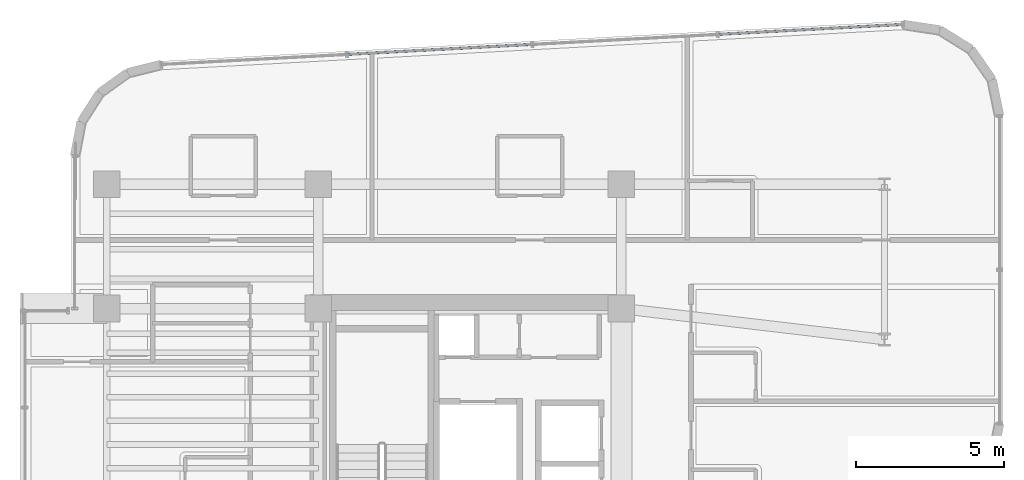
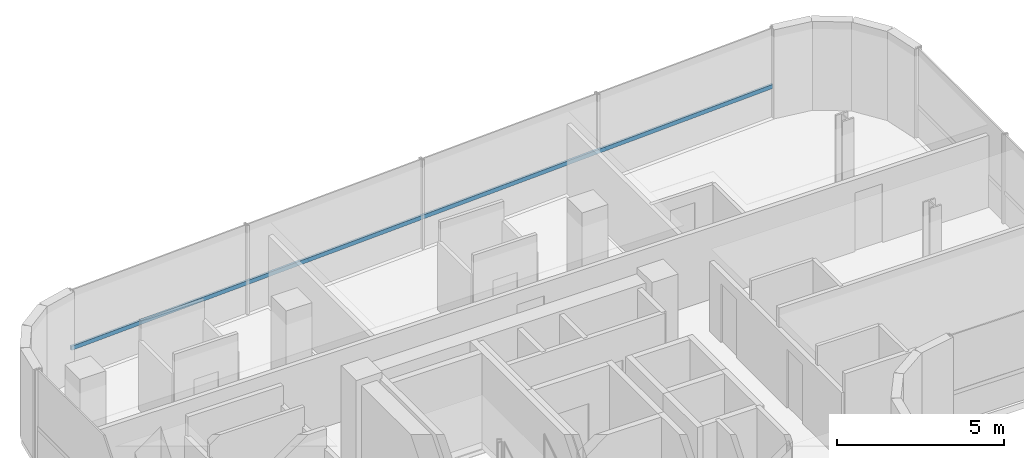
# One storey, part 13 of 22: 1 member, 1 element without a shape of its own.
"""IFC4 building model written with IfcOpenShell, lengths in metres."""

from ifc_helpers import new_model, si_unit, direction, frame, origin, origin_2d, place, context, subcontext, project, spatial, hollow_rectangle, extrude, source, transform, mapped, material, material_profile, profile_set, type_object, element, aggregate, save


model = new_model("IFC4")

# Units and contexts
model_context = context("Model", 3, precision=1e-05, world=origin(), true_north=direction((0.0, 1.0)))
body_context = subcontext(model_context, "Body", "Model", "MODEL_VIEW")
ifc_project = project(units=[si_unit("LENGTHUNIT", "METRE"), si_unit("AREAUNIT", "SQUARE_METRE"), si_unit("VOLUMEUNIT", "CUBIC_METRE"), si_unit("PLANEANGLEUNIT", "RADIAN"), si_unit("MASSUNIT", "GRAM", prefix="KILO")], contexts=[model_context])

# Site, building, storey
site_placement = place(None, origin())
site = spatial("IfcSite", under=ifc_project, at=site_placement, CompositionType="ELEMENT")
building_placement = place(site_placement, origin())
building = spatial("IfcBuilding", under=site, at=building_placement, Name="Valdorenza Pilgrim Sanctuary Tower", CompositionType="ELEMENT")
storey_placement = place(building_placement, frame((0.0, 0.0, 212.5)))
storey = spatial("IfcBuildingStorey", under=building, at=storey_placement, Name="L54", CompositionType="ELEMENT", Elevation=212.5)

# Curtain wall, member
ifc_material_1 = material(Name="Curtain-wall IGU glazing", Category="glass")
curtain_wall_type = type_object("IfcCurtainWallType", Name="CW-SYS-02", PredefinedType="NOTDEFINED", material=ifc_material_1)
curtain_wall_placement = place(storey_placement, origin())
curtain_wall = element("IfcCurtainWall", 1, at=curtain_wall_placement, inside=storey, type_object=curtain_wall_type, Name="L54 Curtain Wall CW-L54-1-6", PredefinedType="NOTDEFINED")
ifc_material_2 = material(Name="Anodised aluminium AW-6060", Category="aluminium")
ifc_material_profile = material_profile(ifc_material_2, hollow_rectangle(XDim=0.074951171875, YDim=0.14990234375, WallThickness=0.00390625, at=origin_2d()), Name="ALU-T 150x75x4")
ifc_profile_set = profile_set([ifc_material_profile], Name="Anodised aluminium AW-6060")
member_type = type_object("IfcMemberType", Name="CW-TRN-02", PredefinedType="USERDEFINED", material=ifc_profile_set)
shared_shape = source(origin(), body_context, "Body", "SweptSolid", [
    extrude(hollow_rectangle(XDim=0.074951171875, YDim=0.14990234375, WallThickness=0.00390625, at=origin_2d()), origin(), (0.0, 0.0, 1.0), 25.114990234375),
])
member_placement = place(storey_placement, frame((-27.9560546875, 18.85400390625, 1.1201171875), z_axis=(0.998546716184, 0.053893001378, 0.0), x_axis=(-0.053893001378, 0.998546716184, 0.0)))
member = element("IfcMember", 2, at=member_placement, type_object=member_type, Name="CW-L54-1-6 Transom 1", ObjectType="TRANSOM", PredefinedType="USERDEFINED", context=body_context, shape_type="MappedRepresentation", body=[
    mapped(shared_shape, transform((0.0, 0.0, 0.0), x_axis=(1.0, 0.0, 0.0), y_axis=(0.0, 1.0, 0.0), z_axis=(0.0, 0.0, 1.0), scale=1.0)),
])
aggregate(curtain_wall, [member])

save(model, "model.ifc")
